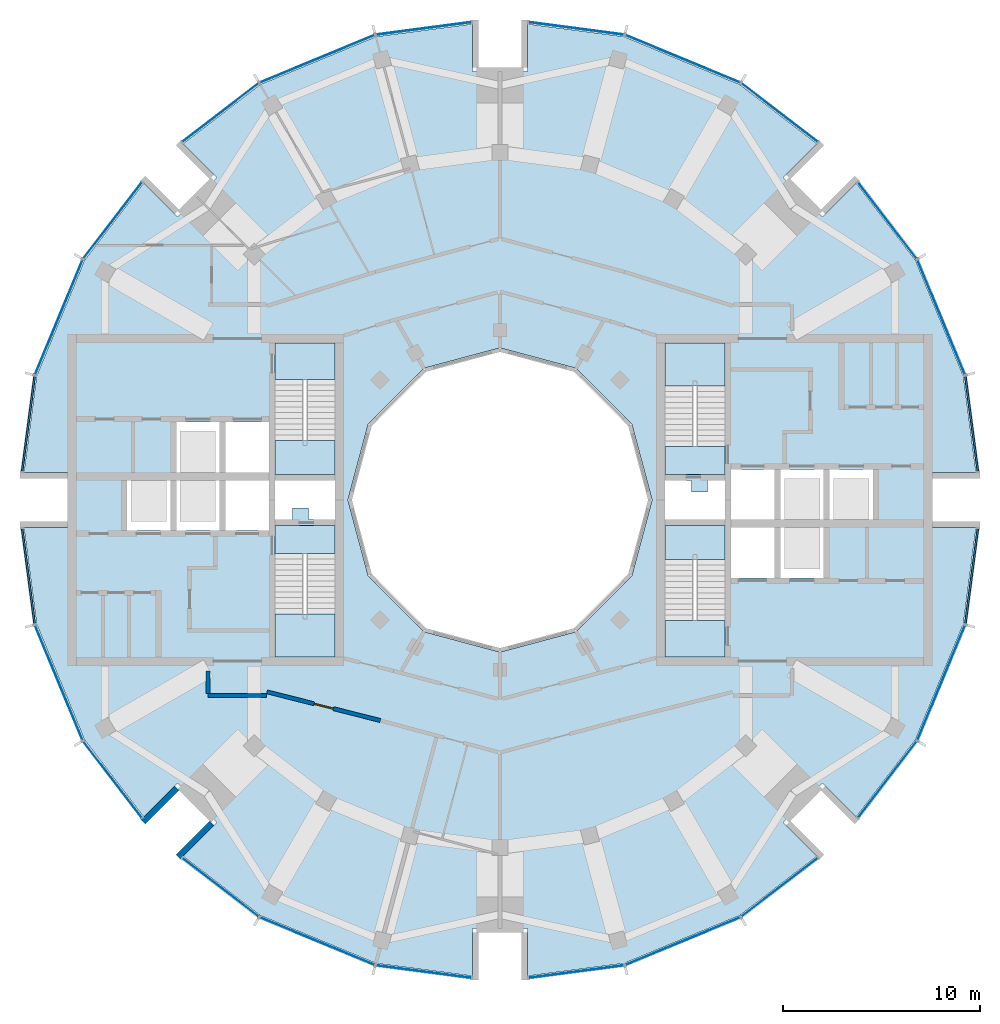
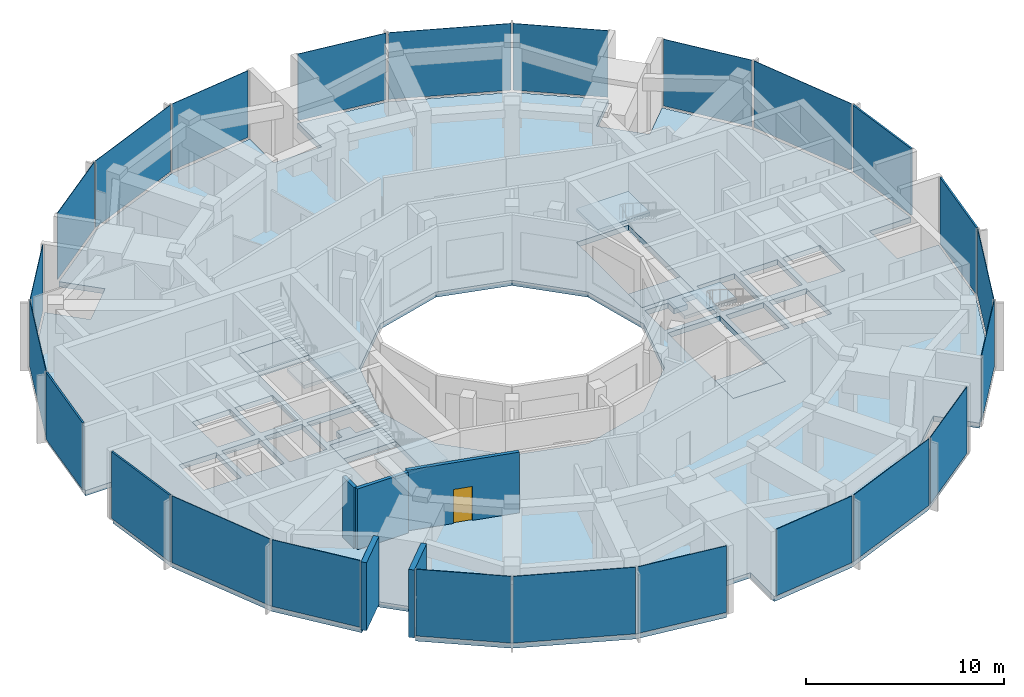
# One storey, part 7 of 14: 24 plates, 9 slabs, 5 walls, 1 door, 1 opening, 28 elements without a shape of their own.
"""IFC4 building model written with IfcOpenShell, lengths in metres."""

from ifc_helpers import new_model, si_unit, direction, frame, frame_2d, origin, origin_2d, place, context, subcontext, project, spatial, polyline, rectangle, outline, extrude, material, layer, layer_set, type_object, element, fill, aggregate, save


model = new_model("IFC4")

# Units and contexts
model_context = context("Model", 3, precision=1e-05, world=origin(), true_north=direction((0.0, 1.0)))
body_context = subcontext(model_context, "Body", "Model", "MODEL_VIEW")
ifc_project = project(units=[si_unit("LENGTHUNIT", "METRE"), si_unit("AREAUNIT", "SQUARE_METRE"), si_unit("VOLUMEUNIT", "CUBIC_METRE"), si_unit("PLANEANGLEUNIT", "RADIAN"), si_unit("MASSUNIT", "GRAM", prefix="KILO")], contexts=[model_context])

# Site, building, storey
site_placement = place(None, origin())
site = spatial("IfcSite", under=ifc_project, at=site_placement, CompositionType="ELEMENT")
building_placement = place(site_placement, origin())
building = spatial("IfcBuilding", under=site, at=building_placement, Name="Torre Brocal", CompositionType="ELEMENT")
storey_placement = place(building_placement, frame((0.0, 0.0, 288.300048828125)))
storey = spatial("IfcBuildingStorey", under=building, at=storey_placement, Name="L66", CompositionType="ELEMENT", Elevation=288.300048828125)

# Curtain wall, plate
ifc_material_1 = material(Name="Aluminium and glass", Category="aluminium")
ifc_layer_1 = layer(ifc_material_1, 0.199951171875)
ifc_layer_set_1 = layer_set([ifc_layer_1], Name="Aluminium and glass")
curtain_wall_type_1 = type_object("IfcCurtainWallType", Name="CW-1 CURTAIN WALL 4200 HIGH", PredefinedType="NOTDEFINED", material=ifc_layer_set_1)
curtain_wall_1_placement = place(storey_placement, origin())
curtain_wall_1 = element("IfcCurtainWall", 1, at=curtain_wall_1_placement, inside=storey, type_object=curtain_wall_type_1, Name="CW-1 RUN 2", PredefinedType="NOTDEFINED")
ifc_material_2 = material(Name="Glass, dark tinted laminated", Category="glass")
ifc_layer_2 = layer(ifc_material_2, 0.031982421875)
ifc_layer_set_2 = layer_set([ifc_layer_2], Name="Glass, dark tinted laminated")
plate_type_1 = type_object("IfcPlateType", Name="CW-1 GLASS PANEL 32", PredefinedType="CURTAIN_PANEL", material=ifc_layer_set_2)
plate_1_placement = place(storey_placement, frame((102.34912109375, 84.25732421875, 0.079833984375), z_axis=(0.0, 0.0, 1.0), x_axis=(-0.382683432462, 0.923879532471, 0.0)))
plate_1 = element("IfcPlate", 2, at=plate_1_placement, type_object=plate_type_1, Name="CW1-5 panel 1.1", PredefinedType="CURTAIN_PANEL", context=body_context, shape_type="SweptSolid", body=[
    extrude(rectangle(XDim=6.24951171875, YDim=0.031982421875, at=origin_2d()), origin(), (0.0, 0.0, 1.0), 4.1201171875),
])
aggregate(curtain_wall_1, [plate_1])

curtain_wall_2_placement = place(storey_placement, origin())
curtain_wall_2 = element("IfcCurtainWall", 3, at=curtain_wall_2_placement, inside=storey, type_object=curtain_wall_type_1, Name="CW-1 RUN 3", PredefinedType="NOTDEFINED")
plate_2_placement = place(storey_placement, frame((99.621337890625, 89.166015625, 0.079833984375), z_axis=(0.0, 0.0, 1.0), x_axis=(-0.608761428939, 0.793353340344, 0.0)))
plate_2 = element("IfcPlate", 4, at=plate_2_placement, type_object=plate_type_1, Name="CW1-5 panel 1.1", PredefinedType="CURTAIN_PANEL", context=body_context, shape_type="SweptSolid", body=[
    extrude(rectangle(XDim=4.83740234375, YDim=0.031982421875, at=origin_2d()), origin(), (0.0, 0.0, 1.0), 4.1201171875),
])
aggregate(curtain_wall_2, [plate_2])

curtain_wall_3_placement = place(storey_placement, origin())
curtain_wall_3 = element("IfcCurtainWall", 5, at=curtain_wall_3_placement, inside=storey, type_object=curtain_wall_type_1, Name="CW-1 RUN 4", PredefinedType="NOTDEFINED")
plate_3_placement = place(storey_placement, frame((94.166015625, 94.621337890625, 0.079833984375), z_axis=(0.0, 0.0, 1.0), x_axis=(-0.793353340344, 0.608761428939, 0.0)))
plate_3 = element("IfcPlate", 6, at=plate_3_placement, type_object=plate_type_1, Name="CW1-5 panel 1.1", PredefinedType="CURTAIN_PANEL", context=body_context, shape_type="SweptSolid", body=[
    extrude(rectangle(XDim=4.83740234375, YDim=0.031982421875, at=origin_2d()), origin(), (0.0, 0.0, 1.0), 4.1201171875),
])
aggregate(curtain_wall_3, [plate_3])

curtain_wall_4_placement = place(storey_placement, origin())
curtain_wall_4 = element("IfcCurtainWall", 7, at=curtain_wall_4_placement, inside=storey, type_object=curtain_wall_type_1, Name="CW-1 RUN 5", PredefinedType="NOTDEFINED")
plate_4_placement = place(storey_placement, frame((89.25732421875, 97.34912109375, 0.079833984375), z_axis=(0.0, 0.0, 1.0), x_axis=(-0.923879532471, 0.382683432462, 0.0)))
plate_4 = element("IfcPlate", 8, at=plate_4_placement, type_object=plate_type_1, Name="CW1-5 panel 1.1", PredefinedType="CURTAIN_PANEL", context=body_context, shape_type="SweptSolid", body=[
    extrude(rectangle(XDim=6.24951171875, YDim=0.031982421875, at=origin_2d()), origin(), (0.0, 0.0, 1.0), 4.1201171875),
])
aggregate(curtain_wall_4, [plate_4])

curtain_wall_5_placement = place(storey_placement, origin())
curtain_wall_5 = element("IfcCurtainWall", 9, at=curtain_wall_5_placement, inside=storey, type_object=curtain_wall_type_1, Name="CW-1 RUN 6", PredefinedType="NOTDEFINED")
plate_5_placement = place(storey_placement, frame((83.857421875, 98.891357421875, 0.079833984375), z_axis=(0.0, 0.0, 1.0), x_axis=(-0.991444861387, 0.130526192116, 0.0)))
plate_5 = element("IfcPlate", 10, at=plate_5_placement, type_object=plate_type_1, Name="CW1-5 panel 1.1", PredefinedType="CURTAIN_PANEL", context=body_context, shape_type="SweptSolid", body=[
    extrude(rectangle(XDim=4.83740234375, YDim=0.031982421875, at=origin_2d()), origin(), (0.0, 0.0, 1.0), 4.1201171875),
])
aggregate(curtain_wall_5, [plate_5])

curtain_wall_6_placement = place(storey_placement, origin())
curtain_wall_6 = element("IfcCurtainWall", 11, at=curtain_wall_6_placement, inside=storey, type_object=curtain_wall_type_1, Name="CW-1 RUN 7", PredefinedType="NOTDEFINED")
plate_6_placement = place(storey_placement, frame((76.142578125, 98.891357421875, 0.079833984375), z_axis=(0.0, 0.0, 1.0), x_axis=(-0.991444861387, -0.130526192116, 0.0)))
plate_6 = element("IfcPlate", 12, at=plate_6_placement, type_object=plate_type_1, Name="CW1-5 panel 1.1", PredefinedType="CURTAIN_PANEL", context=body_context, shape_type="SweptSolid", body=[
    extrude(rectangle(XDim=4.83740234375, YDim=0.031982421875, at=origin_2d()), origin(), (0.0, 0.0, 1.0), 4.1201171875),
])
aggregate(curtain_wall_6, [plate_6])

curtain_wall_7_placement = place(storey_placement, origin())
curtain_wall_7 = element("IfcCurtainWall", 13, at=curtain_wall_7_placement, inside=storey, type_object=curtain_wall_type_1, Name="CW-1 RUN 8", PredefinedType="NOTDEFINED")
plate_7_placement = place(storey_placement, frame((70.74267578125, 97.34912109375, 0.079833984375), z_axis=(0.0, 0.0, 1.0), x_axis=(-0.923879532471, -0.382683432462, 0.0)))
plate_7 = element("IfcPlate", 14, at=plate_7_placement, type_object=plate_type_1, Name="CW1-5 panel 1.1", PredefinedType="CURTAIN_PANEL", context=body_context, shape_type="SweptSolid", body=[
    extrude(rectangle(XDim=6.24951171875, YDim=0.031982421875, at=origin_2d()), origin(), (0.0, 0.0, 1.0), 4.1201171875),
])
aggregate(curtain_wall_7, [plate_7])

curtain_wall_8_placement = place(storey_placement, origin())
curtain_wall_8 = element("IfcCurtainWall", 15, at=curtain_wall_8_placement, inside=storey, type_object=curtain_wall_type_1, Name="CW-1 RUN 9", PredefinedType="NOTDEFINED")
plate_8_placement = place(storey_placement, frame((65.833984375, 94.621337890625, 0.079833984375), z_axis=(0.0, 0.0, 1.0), x_axis=(-0.793353340344, -0.608761428939, 0.0)))
plate_8 = element("IfcPlate", 16, at=plate_8_placement, type_object=plate_type_1, Name="CW1-5 panel 1.1", PredefinedType="CURTAIN_PANEL", context=body_context, shape_type="SweptSolid", body=[
    extrude(rectangle(XDim=4.83740234375, YDim=0.031982421875, at=origin_2d()), origin(), (0.0, 0.0, 1.0), 4.1201171875),
])
aggregate(curtain_wall_8, [plate_8])

curtain_wall_9_placement = place(storey_placement, origin())
curtain_wall_9 = element("IfcCurtainWall", 17, at=curtain_wall_9_placement, inside=storey, type_object=curtain_wall_type_1, Name="CW-1 RUN 10", PredefinedType="NOTDEFINED")
plate_9_placement = place(storey_placement, frame((60.378662109375, 89.166015625, 0.079833984375), z_axis=(0.0, 0.0, 1.0), x_axis=(-0.608761428939, -0.793353340344, 0.0)))
plate_9 = element("IfcPlate", 18, at=plate_9_placement, type_object=plate_type_1, Name="CW1-5 panel 1.1", PredefinedType="CURTAIN_PANEL", context=body_context, shape_type="SweptSolid", body=[
    extrude(rectangle(XDim=4.83740234375, YDim=0.031982421875, at=origin_2d()), origin(), (0.0, 0.0, 1.0), 4.1201171875),
])
aggregate(curtain_wall_9, [plate_9])

curtain_wall_10_placement = place(storey_placement, origin())
curtain_wall_10 = element("IfcCurtainWall", 19, at=curtain_wall_10_placement, inside=storey, type_object=curtain_wall_type_1, Name="CW-1 RUN 11", PredefinedType="NOTDEFINED")
plate_10_placement = place(storey_placement, frame((57.65087890625, 84.25732421875, 0.079833984375), z_axis=(0.0, 0.0, 1.0), x_axis=(-0.382683432462, -0.923879532471, 0.0)))
plate_10 = element("IfcPlate", 20, at=plate_10_placement, type_object=plate_type_1, Name="CW1-5 panel 1.1", PredefinedType="CURTAIN_PANEL", context=body_context, shape_type="SweptSolid", body=[
    extrude(rectangle(XDim=6.24951171875, YDim=0.031982421875, at=origin_2d()), origin(), (0.0, 0.0, 1.0), 4.1201171875),
])
aggregate(curtain_wall_10, [plate_10])

curtain_wall_11_placement = place(storey_placement, origin())
curtain_wall_11 = element("IfcCurtainWall", 21, at=curtain_wall_11_placement, inside=storey, type_object=curtain_wall_type_1, Name="CW-1 RUN 14", PredefinedType="NOTDEFINED")
plate_11_placement = place(storey_placement, frame((57.65087890625, 65.74267578125, 0.079833984375), z_axis=(0.0, 0.0, 1.0), x_axis=(0.382683432462, -0.923879532471, 0.0)))
plate_11 = element("IfcPlate", 22, at=plate_11_placement, type_object=plate_type_1, Name="CW1-5 panel 1.1", PredefinedType="CURTAIN_PANEL", context=body_context, shape_type="SweptSolid", body=[
    extrude(rectangle(XDim=6.24951171875, YDim=0.031982421875, at=origin_2d()), origin(), (0.0, 0.0, 1.0), 4.1201171875),
])
aggregate(curtain_wall_11, [plate_11])

curtain_wall_12_placement = place(storey_placement, origin())
curtain_wall_12 = element("IfcCurtainWall", 23, at=curtain_wall_12_placement, inside=storey, type_object=curtain_wall_type_1, Name="CW-1 RUN 15", PredefinedType="NOTDEFINED")
plate_12_placement = place(storey_placement, frame((60.378662109375, 60.833984375, 0.079833984375), z_axis=(0.0, 0.0, 1.0), x_axis=(0.608761428939, -0.793353340344, 0.0)))
plate_12 = element("IfcPlate", 24, at=plate_12_placement, type_object=plate_type_1, Name="CW1-5 panel 1.1", PredefinedType="CURTAIN_PANEL", context=body_context, shape_type="SweptSolid", body=[
    extrude(rectangle(XDim=4.83740234375, YDim=0.031982421875, at=origin_2d()), origin(), (0.0, 0.0, 1.0), 4.1201171875),
])
aggregate(curtain_wall_12, [plate_12])

curtain_wall_13_placement = place(storey_placement, origin())
curtain_wall_13 = element("IfcCurtainWall", 25, at=curtain_wall_13_placement, inside=storey, type_object=curtain_wall_type_1, Name="CW-1 RUN 16", PredefinedType="NOTDEFINED")
plate_13_placement = place(storey_placement, frame((65.833984375, 55.378662109375, 0.079833984375), z_axis=(0.0, 0.0, 1.0), x_axis=(0.793353340344, -0.608761428939, 0.0)))
plate_13 = element("IfcPlate", 26, at=plate_13_placement, type_object=plate_type_1, Name="CW1-5 panel 1.1", PredefinedType="CURTAIN_PANEL", context=body_context, shape_type="SweptSolid", body=[
    extrude(rectangle(XDim=4.83740234375, YDim=0.031982421875, at=origin_2d()), origin(), (0.0, 0.0, 1.0), 4.1201171875),
])
aggregate(curtain_wall_13, [plate_13])

curtain_wall_14_placement = place(storey_placement, origin())
curtain_wall_14 = element("IfcCurtainWall", 27, at=curtain_wall_14_placement, inside=storey, type_object=curtain_wall_type_1, Name="CW-1 RUN 17", PredefinedType="NOTDEFINED")
plate_14_placement = place(storey_placement, frame((70.74267578125, 52.65087890625, 0.079833984375), z_axis=(0.0, 0.0, 1.0), x_axis=(0.923879532471, -0.382683432462, 0.0)))
plate_14 = element("IfcPlate", 28, at=plate_14_placement, type_object=plate_type_1, Name="CW1-5 panel 1.1", PredefinedType="CURTAIN_PANEL", context=body_context, shape_type="SweptSolid", body=[
    extrude(rectangle(XDim=6.24951171875, YDim=0.031982421875, at=origin_2d()), origin(), (0.0, 0.0, 1.0), 4.1201171875),
])
aggregate(curtain_wall_14, [plate_14])

curtain_wall_15_placement = place(storey_placement, origin())
curtain_wall_15 = element("IfcCurtainWall", 29, at=curtain_wall_15_placement, inside=storey, type_object=curtain_wall_type_1, Name="CW-1 RUN 18", PredefinedType="NOTDEFINED")
plate_15_placement = place(storey_placement, frame((76.142578125, 51.108642578125, 0.079833984375), z_axis=(0.0, 0.0, 1.0), x_axis=(0.991444861387, -0.130526192116, 0.0)))
plate_15 = element("IfcPlate", 30, at=plate_15_placement, type_object=plate_type_1, Name="CW1-5 panel 1.1", PredefinedType="CURTAIN_PANEL", context=body_context, shape_type="SweptSolid", body=[
    extrude(rectangle(XDim=4.83740234375, YDim=0.031982421875, at=origin_2d()), origin(), (0.0, 0.0, 1.0), 4.1201171875),
])
aggregate(curtain_wall_15, [plate_15])

curtain_wall_16_placement = place(storey_placement, origin())
curtain_wall_16 = element("IfcCurtainWall", 31, at=curtain_wall_16_placement, inside=storey, type_object=curtain_wall_type_1, Name="CW-1 RUN 19", PredefinedType="NOTDEFINED")
plate_16_placement = place(storey_placement, frame((83.857421875, 51.108642578125, 0.079833984375), z_axis=(0.0, 0.0, 1.0), x_axis=(0.991444861387, 0.130526192116, 0.0)))
plate_16 = element("IfcPlate", 32, at=plate_16_placement, type_object=plate_type_1, Name="CW1-5 panel 1.1", PredefinedType="CURTAIN_PANEL", context=body_context, shape_type="SweptSolid", body=[
    extrude(rectangle(XDim=4.83740234375, YDim=0.031982421875, at=origin_2d()), origin(), (0.0, 0.0, 1.0), 4.1201171875),
])
aggregate(curtain_wall_16, [plate_16])

curtain_wall_17_placement = place(storey_placement, origin())
curtain_wall_17 = element("IfcCurtainWall", 33, at=curtain_wall_17_placement, inside=storey, type_object=curtain_wall_type_1, Name="CW-1 RUN 20", PredefinedType="NOTDEFINED")
plate_17_placement = place(storey_placement, frame((89.25732421875, 52.65087890625, 0.079833984375), z_axis=(0.0, 0.0, 1.0), x_axis=(0.923879532471, 0.382683432462, 0.0)))
plate_17 = element("IfcPlate", 34, at=plate_17_placement, type_object=plate_type_1, Name="CW1-5 panel 1.1", PredefinedType="CURTAIN_PANEL", context=body_context, shape_type="SweptSolid", body=[
    extrude(rectangle(XDim=6.24951171875, YDim=0.031982421875, at=origin_2d()), origin(), (0.0, 0.0, 1.0), 4.1201171875),
])
aggregate(curtain_wall_17, [plate_17])

curtain_wall_18_placement = place(storey_placement, origin())
curtain_wall_18 = element("IfcCurtainWall", 35, at=curtain_wall_18_placement, inside=storey, type_object=curtain_wall_type_1, Name="CW-1 RUN 21", PredefinedType="NOTDEFINED")
plate_18_placement = place(storey_placement, frame((94.166015625, 55.378662109375, 0.079833984375), z_axis=(0.0, 0.0, 1.0), x_axis=(0.793353340344, 0.608761428939, 0.0)))
plate_18 = element("IfcPlate", 36, at=plate_18_placement, type_object=plate_type_1, Name="CW1-5 panel 1.1", PredefinedType="CURTAIN_PANEL", context=body_context, shape_type="SweptSolid", body=[
    extrude(rectangle(XDim=4.83740234375, YDim=0.031982421875, at=origin_2d()), origin(), (0.0, 0.0, 1.0), 4.1201171875),
])
aggregate(curtain_wall_18, [plate_18])

curtain_wall_19_placement = place(storey_placement, origin())
curtain_wall_19 = element("IfcCurtainWall", 37, at=curtain_wall_19_placement, inside=storey, type_object=curtain_wall_type_1, Name="CW-1 RUN 22", PredefinedType="NOTDEFINED")
plate_19_placement = place(storey_placement, frame((99.621337890625, 60.833984375, 0.079833984375), z_axis=(0.0, 0.0, 1.0), x_axis=(0.608761428939, 0.793353340344, 0.0)))
plate_19 = element("IfcPlate", 38, at=plate_19_placement, type_object=plate_type_1, Name="CW1-5 panel 1.1", PredefinedType="CURTAIN_PANEL", context=body_context, shape_type="SweptSolid", body=[
    extrude(rectangle(XDim=4.83740234375, YDim=0.031982421875, at=origin_2d()), origin(), (0.0, 0.0, 1.0), 4.1201171875),
])
aggregate(curtain_wall_19, [plate_19])

curtain_wall_20_placement = place(storey_placement, origin())
curtain_wall_20 = element("IfcCurtainWall", 39, at=curtain_wall_20_placement, inside=storey, type_object=curtain_wall_type_1, Name="CW-1 RUN 23", PredefinedType="NOTDEFINED")
plate_20_placement = place(storey_placement, frame((102.34912109375, 65.74267578125, 0.079833984375), z_axis=(0.0, 0.0, 1.0), x_axis=(0.382683432462, 0.923879532471, 0.0)))
plate_20 = element("IfcPlate", 40, at=plate_20_placement, type_object=plate_type_1, Name="CW1-5 panel 1.1", PredefinedType="CURTAIN_PANEL", context=body_context, shape_type="SweptSolid", body=[
    extrude(rectangle(XDim=6.24951171875, YDim=0.031982421875, at=origin_2d()), origin(), (0.0, 0.0, 1.0), 4.1201171875),
])
aggregate(curtain_wall_20, [plate_20])

ifc_material_3 = material(Name="Aluminium and glass", Category="aluminium")
ifc_layer_3 = layer(ifc_material_3, 0.199951171875)
ifc_layer_set_3 = layer_set([ifc_layer_3], Name="Aluminium and glass")
curtain_wall_type_2 = type_object("IfcCurtainWallType", Name="CW-1B CURTAIN WALL 4200 HIGH", PredefinedType="NOTDEFINED", material=ifc_layer_set_3)
curtain_wall_21_placement = place(storey_placement, origin())
curtain_wall_21 = element("IfcCurtainWall", 41, at=curtain_wall_21_placement, inside=storey, type_object=curtain_wall_type_2, Name="CW-1B RUN 1", PredefinedType="NOTDEFINED")
ifc_material_4 = material(Name="Aluminium composite panel", Category="aluminium")
ifc_layer_4 = layer(ifc_material_4, 0.10009765625)
ifc_layer_set_4 = layer_set([ifc_layer_4], Name="Aluminium composite panel")
plate_type_2 = type_object("IfcPlateType", Name="CW-1B OPAQUE PANEL 100", PredefinedType="CURTAIN_PANEL", material=ifc_layer_set_4)
plate_21_placement = place(storey_placement, frame((103.891357421875, 78.857421875, 0.079833984375), z_axis=(0.0, 0.0, 1.0), x_axis=(-0.130526192116, 0.991444861387, 0.0)))
plate_21 = element("IfcPlate", 42, at=plate_21_placement, type_object=plate_type_2, Name="CW1B-5 panel 1.1", PredefinedType="CURTAIN_PANEL", context=body_context, shape_type="SweptSolid", body=[
    extrude(rectangle(XDim=4.83740234375, YDim=0.10009765625, at=origin_2d()), origin(), (0.0, 0.0, 1.0), 4.1201171875),
])
aggregate(curtain_wall_21, [plate_21])

curtain_wall_22_placement = place(storey_placement, origin())
curtain_wall_22 = element("IfcCurtainWall", 43, at=curtain_wall_22_placement, inside=storey, type_object=curtain_wall_type_2, Name="CW-1B RUN 12", PredefinedType="NOTDEFINED")
plate_22_placement = place(storey_placement, frame((56.108642578125, 78.857421875, 0.079833984375), z_axis=(0.0, 0.0, 1.0), x_axis=(-0.130526192116, -0.991444861387, 0.0)))
plate_22 = element("IfcPlate", 44, at=plate_22_placement, type_object=plate_type_2, Name="CW1B-5 panel 1.1", PredefinedType="CURTAIN_PANEL", context=body_context, shape_type="SweptSolid", body=[
    extrude(rectangle(XDim=4.83740234375, YDim=0.10009765625, at=origin_2d()), origin(), (0.0, 0.0, 1.0), 4.1201171875),
])
aggregate(curtain_wall_22, [plate_22])

curtain_wall_23_placement = place(storey_placement, origin())
curtain_wall_23 = element("IfcCurtainWall", 45, at=curtain_wall_23_placement, inside=storey, type_object=curtain_wall_type_2, Name="CW-1B RUN 13", PredefinedType="NOTDEFINED")
plate_23_placement = place(storey_placement, frame((56.108642578125, 71.142578125, 0.079833984375), z_axis=(0.0, 0.0, 1.0), x_axis=(0.130526192116, -0.991444861387, 0.0)))
plate_23 = element("IfcPlate", 46, at=plate_23_placement, type_object=plate_type_2, Name="CW1B-5 panel 1.1", PredefinedType="CURTAIN_PANEL", context=body_context, shape_type="SweptSolid", body=[
    extrude(rectangle(XDim=4.83740234375, YDim=0.10009765625, at=origin_2d()), origin(), (0.0, 0.0, 1.0), 4.1201171875),
])
aggregate(curtain_wall_23, [plate_23])

curtain_wall_24_placement = place(storey_placement, origin())
curtain_wall_24 = element("IfcCurtainWall", 47, at=curtain_wall_24_placement, inside=storey, type_object=curtain_wall_type_2, Name="CW-1B RUN 24", PredefinedType="NOTDEFINED")
plate_24_placement = place(storey_placement, frame((103.891357421875, 71.142578125, 0.079833984375), z_axis=(0.0, 0.0, 1.0), x_axis=(0.130526192116, 0.991444861387, 0.0)))
plate_24 = element("IfcPlate", 48, at=plate_24_placement, type_object=plate_type_2, Name="CW1B-5 panel 1.1", PredefinedType="CURTAIN_PANEL", context=body_context, shape_type="SweptSolid", body=[
    extrude(rectangle(XDim=4.83740234375, YDim=0.10009765625, at=origin_2d()), origin(), (0.0, 0.0, 1.0), 4.1201171875),
])
aggregate(curtain_wall_24, [plate_24])

# Stair, slab
ifc_material_5 = material(Name="Concrete C50", Category="concrete")
stair_type = type_object("IfcStairType", Name="EXIT STAIR", PredefinedType="HALF_TURN_STAIR", material=ifc_material_5)
stair_1_placement = place(storey_placement, origin())
stair_1 = element("IfcStair", 49, at=stair_1_placement, inside=storey, type_object=stair_type, Name="EXIT STAIR ST1", PredefinedType="HALF_TURN_STAIR")
ifc_material_6 = material(Name="Concrete C50", Category="concrete")
ifc_layer_5 = layer(ifc_material_6, 0.320068359375)
ifc_layer_set_5 = layer_set([ifc_layer_5], Name="Concrete C50")
slab_type_1 = type_object("IfcSlabType", Name="FLOOR LANDING 320", PredefinedType="LANDING", material=ifc_layer_set_5)
slab_1_placement = place(storey_placement, frame((0.0, 0.0, -0.320068359375)))
slab_1 = element("IfcSlab", 50, at=slab_1_placement, type_object=slab_type_1, Name="ST1 landing 1", PredefinedType="LANDING", context=body_context, shape_type="SweptSolid", body=[
    extrude(outline(polyline([(88.35009765625, 76.300048828125), (91.39990234375, 76.300048828125), (91.39990234375, 77.699951171875), (88.35009765625, 77.699951171875), (88.35009765625, 76.300048828125)])), origin(), (0.0, 0.0, 1.0), 0.320068359375),
])

stair_2_placement = place(storey_placement, origin())
stair_2 = element("IfcStair", 51, at=stair_2_placement, inside=storey, type_object=stair_type, Name="EXIT STAIR ST2", PredefinedType="HALF_TURN_STAIR")
slab_2_placement = place(storey_placement, frame((0.0, 0.0, -0.320068359375)))
slab_2 = element("IfcSlab", 52, at=slab_2_placement, type_object=slab_type_1, Name="ST2 landing 1", PredefinedType="LANDING", context=body_context, shape_type="SweptSolid", body=[
    extrude(outline(polyline([(88.35009765625, 67.050048828125), (91.39990234375, 67.050048828125), (91.39990234375, 68.89990234375), (88.35009765625, 68.89990234375), (88.35009765625, 67.050048828125)])), origin(), (0.0, 0.0, 1.0), 0.320068359375),
])

stair_3_placement = place(storey_placement, origin())
stair_3 = element("IfcStair", 53, at=stair_3_placement, inside=storey, type_object=stair_type, Name="EXIT STAIR ST3", PredefinedType="HALF_TURN_STAIR")
slab_3_placement = place(storey_placement, frame((0.0, 0.0, -0.320068359375)))
slab_3 = element("IfcSlab", 54, at=slab_3_placement, type_object=slab_type_1, Name="ST3 landing 1", PredefinedType="LANDING", context=body_context, shape_type="SweptSolid", body=[
    extrude(outline(polyline([(71.64990234375, 73.699951171875), (68.60009765625, 73.699951171875), (68.60009765625, 72.300048828125), (71.64990234375, 72.300048828125), (71.64990234375, 73.699951171875)])), origin(), (0.0, 0.0, 1.0), 0.320068359375),
])

stair_4_placement = place(storey_placement, origin())
stair_4 = element("IfcStair", 55, at=stair_4_placement, inside=storey, type_object=stair_type, Name="EXIT STAIR ST4", PredefinedType="HALF_TURN_STAIR")
slab_4_placement = place(storey_placement, frame((0.0, 0.0, -0.320068359375)))
slab_4 = element("IfcSlab", 56, at=slab_4_placement, type_object=slab_type_1, Name="ST4 landing 1", PredefinedType="LANDING", context=body_context, shape_type="SweptSolid", body=[
    extrude(outline(polyline([(71.64990234375, 82.949951171875), (68.60009765625, 82.949951171875), (68.60009765625, 81.10009765625), (71.64990234375, 81.10009765625), (71.64990234375, 82.949951171875)])), origin(), (0.0, 0.0, 1.0), 0.320068359375),
])

# Slab
ifc_material_7 = material(Name="Concrete C50", Category="concrete")
ifc_layer_6 = layer(ifc_material_7, 0.199951171875)
ifc_layer_set_6 = layer_set([ifc_layer_6], Name="Concrete C50")
slab_type_2 = type_object("IfcSlabType", Name="MID LANDING +2100", PredefinedType="LANDING", material=ifc_layer_set_6)
slab_5_placement = place(storey_placement, frame((0.0, 0.0, 1.89990234375)))
slab_5 = element("IfcSlab", 57, at=slab_5_placement, type_object=slab_type_2, Name="ST1 landing 2", PredefinedType="LANDING", context=body_context, shape_type="SweptSolid", body=[
    extrude(outline(polyline([(88.35009765625, 80.780029296875), (91.39990234375, 80.780029296875), (91.39990234375, 82.949951171875), (88.35009765625, 82.949951171875), (88.35009765625, 80.780029296875)])), origin(), (0.0, 0.0, 1.0), 0.199951171875),
])

aggregate(stair_1, [slab_1, slab_5])

slab_6_placement = place(storey_placement, frame((0.0, 0.0, 1.89990234375)))
slab_6 = element("IfcSlab", 58, at=slab_6_placement, type_object=slab_type_2, Name="ST2 landing 2", PredefinedType="LANDING", context=body_context, shape_type="SweptSolid", body=[
    extrude(outline(polyline([(88.35009765625, 71.97998046875), (91.39990234375, 71.97998046875), (91.39990234375, 73.699951171875), (88.35009765625, 73.699951171875), (88.35009765625, 71.97998046875)])), origin(), (0.0, 0.0, 1.0), 0.199951171875),
])

aggregate(stair_2, [slab_2, slab_6])

slab_7_placement = place(storey_placement, frame((0.0, 0.0, 1.89990234375)))
slab_7 = element("IfcSlab", 59, at=slab_7_placement, type_object=slab_type_2, Name="ST3 landing 2", PredefinedType="LANDING", context=body_context, shape_type="SweptSolid", body=[
    extrude(outline(polyline([(71.64990234375, 69.219970703125), (68.60009765625, 69.219970703125), (68.60009765625, 67.050048828125), (71.64990234375, 67.050048828125), (71.64990234375, 69.219970703125)])), origin(), (0.0, 0.0, 1.0), 0.199951171875),
])

aggregate(stair_3, [slab_3, slab_7])

slab_8_placement = place(storey_placement, frame((0.0, 0.0, 1.89990234375)))
slab_8 = element("IfcSlab", 60, at=slab_8_placement, type_object=slab_type_2, Name="ST4 landing 2", PredefinedType="LANDING", context=body_context, shape_type="SweptSolid", body=[
    extrude(outline(polyline([(71.64990234375, 78.02001953125), (68.60009765625, 78.02001953125), (68.60009765625, 76.300048828125), (71.64990234375, 76.300048828125), (71.64990234375, 78.02001953125)])), origin(), (0.0, 0.0, 1.0), 0.199951171875),
])

aggregate(stair_4, [slab_4, slab_8])

ifc_material_8 = material(Name="Concrete C45", Category="concrete")
ifc_layer_7 = layer(ifc_material_8, 0.320068359375)
ifc_layer_set_7 = layer_set([ifc_layer_7], Name="Concrete C45")
slab_type_3 = type_object("IfcSlabType", Name="PT FLOOR SLAB 320 C45", PredefinedType="FLOOR", material=ifc_layer_set_7)
slab_9_placement = place(storey_placement, frame((0.0, 0.0, -0.320068359375)))
element("IfcSlab", 61, at=slab_9_placement, inside=storey, type_object=slab_type_3, Name="Slab ST-05", PredefinedType="FLOOR", context=body_context, shape_type="SweptSolid", body=[
    extrude(outline(polyline([(101.699951171875, 76.39990234375), (101.699951171875, 73.60009765625), (104.114013671875, 73.60009765625), (103.47021484375, 68.711181640625), (101.04296875, 62.850830078125), (98.041015625, 58.938720703125), (96.334228515625, 60.645751953125), (94.354248046875, 58.665771484375), (96.061279296875, 56.958984375), (92.149169921875, 53.95703125), (86.288818359375, 51.52978515625), (81.39990234375, 50.885986328125), (81.39990234375, 53.300048828125), (78.60009765625, 53.300048828125), (78.60009765625, 50.885986328125), (73.711181640625, 51.52978515625), (67.850830078125, 53.95703125), (63.938720703125, 56.958984375), (65.645751953125, 58.665771484375), (63.665771484375, 60.645751953125), (61.958984375, 58.938720703125), (58.95703125, 62.850830078125), (56.52978515625, 68.711181640625), (55.885986328125, 73.60009765625), (58.300048828125, 73.60009765625), (58.300048828125, 76.39990234375), (55.885986328125, 76.39990234375), (56.52978515625, 81.288818359375), (58.95703125, 87.149169921875), (61.958984375, 91.061279296875), (63.665771484375, 89.354248046875), (65.645751953125, 91.334228515625), (63.938720703125, 93.041015625), (67.850830078125, 96.04296875), (73.711181640625, 98.47021484375), (78.60009765625, 99.114013671875), (78.60009765625, 96.699951171875), (81.39990234375, 96.699951171875), (81.39990234375, 99.114013671875), (86.288818359375, 98.47021484375), (92.149169921875, 96.04296875), (96.061279296875, 93.041015625), (94.354248046875, 91.334228515625), (96.334228515625, 89.354248046875), (98.041015625, 91.061279296875), (101.04296875, 87.149169921875), (103.47021484375, 81.288818359375), (104.114013671875, 76.39990234375), (101.699951171875, 76.39990234375)]), holes=[polyline([(98.89990234375, 76.550048828125), (96.699951171875, 76.550048828125), (96.699951171875, 74.0), (98.89990234375, 74.0), (98.89990234375, 76.550048828125)]), polyline([(96.39990234375, 76.550048828125), (94.199951171875, 76.550048828125), (94.199951171875, 74.0), (96.39990234375, 74.0), (96.39990234375, 76.550048828125)]), polyline([(96.39990234375, 73.60009765625), (94.199951171875, 73.60009765625), (94.199951171875, 71.050048828125), (96.39990234375, 71.050048828125), (96.39990234375, 73.60009765625)]), polyline([(93.89990234375, 76.550048828125), (91.699951171875, 76.550048828125), (91.699951171875, 74.0), (93.89990234375, 74.0), (93.89990234375, 76.550048828125)]), polyline([(93.89990234375, 73.60009765625), (91.699951171875, 73.60009765625), (91.699951171875, 71.050048828125), (93.89990234375, 71.050048828125), (93.89990234375, 73.60009765625)]), polyline([(89.699951171875, 76.0), (88.35009765625, 76.0), (88.35009765625, 74.0), (91.39990234375, 74.0), (91.39990234375, 76.0), (90.5, 76.0), (90.5, 75.39990234375), (89.699951171875, 75.39990234375), (89.699951171875, 76.0)]), polyline([(91.39990234375, 82.949951171875), (88.35009765625, 82.949951171875), (88.35009765625, 76.300048828125), (91.39990234375, 76.300048828125), (91.39990234375, 82.949951171875)]), polyline([(91.39990234375, 73.699951171875), (88.35009765625, 73.699951171875), (88.35009765625, 67.050048828125), (91.39990234375, 67.050048828125), (91.39990234375, 73.699951171875)]), polyline([(80.0, 82.70703125), (76.146484375, 81.674560546875), (73.325439453125, 78.853515625), (72.29296875, 75.0), (73.325439453125, 71.146484375), (76.146484375, 68.325439453125), (80.0, 67.29296875), (83.853515625, 68.325439453125), (86.674560546875, 71.146484375), (87.70703125, 75.0), (86.674560546875, 78.853515625), (83.853515625, 81.674560546875), (80.0, 82.70703125)]), polyline([(70.300048828125, 74.0), (71.64990234375, 74.0), (71.64990234375, 76.0), (68.60009765625, 76.0), (68.60009765625, 74.0), (69.5, 74.0), (69.5, 74.60009765625), (70.300048828125, 74.60009765625), (70.300048828125, 74.0)]), polyline([(68.60009765625, 76.300048828125), (71.64990234375, 76.300048828125), (71.64990234375, 82.949951171875), (68.60009765625, 82.949951171875), (68.60009765625, 76.300048828125)]), polyline([(68.60009765625, 67.050048828125), (71.64990234375, 67.050048828125), (71.64990234375, 73.699951171875), (68.60009765625, 73.699951171875), (68.60009765625, 67.050048828125)]), polyline([(66.10009765625, 76.39990234375), (68.300048828125, 76.39990234375), (68.300048828125, 78.949951171875), (66.10009765625, 78.949951171875), (66.10009765625, 76.39990234375)]), polyline([(66.10009765625, 73.449951171875), (68.300048828125, 73.449951171875), (68.300048828125, 76.0), (66.10009765625, 76.0), (66.10009765625, 73.449951171875)]), polyline([(63.60009765625, 76.39990234375), (65.800048828125, 76.39990234375), (65.800048828125, 78.949951171875), (63.60009765625, 78.949951171875), (63.60009765625, 76.39990234375)]), polyline([(63.60009765625, 73.449951171875), (65.800048828125, 73.449951171875), (65.800048828125, 76.0), (63.60009765625, 76.0), (63.60009765625, 73.449951171875)]), polyline([(61.10009765625, 73.449951171875), (63.300048828125, 73.449951171875), (63.300048828125, 76.0), (61.10009765625, 76.0), (61.10009765625, 73.449951171875)])]), origin(), (0.0, 0.0, 1.0), 0.320068359375),
])

# Walls
ifc_material_9 = material(Name="Concrete C50", Category="concrete")
ifc_layer_8 = layer(ifc_material_9, 0.300048828125)
ifc_layer_set_8 = layer_set([ifc_layer_8], Name="Concrete C50")
wall_type_1 = type_object("IfcWallType", Name="NOTCH RETURN WALL 300 C50", PredefinedType="NOTDEFINED", material=ifc_layer_set_8)
for number, where, z_axis, x_axis, name in (
    (62, (63.63037109375, 60.398193359375, 0.0), (0.0, 0.0, 1.0), (-0.707106781187, -0.707106781187, 0.0), "NOTCH RETURN WALL"),
    (63, (65.398193359375, 58.63037109375, 0.0), (0.0, 0.0, 1.0), (-0.707106781187, -0.707106781187, 0.0), "NOTCH RETURN WALL"),
):
    element("IfcWall", number, at=place(storey_placement, frame(where, z_axis=z_axis, x_axis=x_axis)), inside=storey, type_object=wall_type_1, Name=name, PredefinedType="NOTDEFINED", context=body_context, shape_type="SweptSolid", body=[
        extrude(rectangle(XDim=2.41552734375, YDim=0.300048828125, at=frame_2d((1.207763671875, 0.0))), origin(), (0.0, 0.0, 1.0), 4.199951171875),
    ])
ifc_material_10 = material(Name="Gypsum board", Category="Gypsum")
ifc_layer_9 = layer(ifc_material_10, 0.199951171875)
ifc_layer_set_9 = layer_set([ifc_layer_9], Name="Gypsum board")
wall_type_2 = type_object("IfcWallType", Name="PARTITION 200 EI60", PredefinedType="PARTITIONING", material=ifc_layer_set_9)
wall_1_placement = place(storey_placement, frame((65.199951171875, 65.199951171875, 0.0), z_axis=(0.0, 0.0, 1.0), x_axis=(0.0, 1.0, 0.0)))
element("IfcWall", 64, at=wall_1_placement, inside=storey, type_object=wall_type_2, Name="FLAT ENTRANCE WALL", PredefinedType="PARTITIONING", context=body_context, shape_type="SweptSolid", body=[
    extrude(rectangle(XDim=1.149169921875, YDim=0.199951171875, at=frame_2d((0.57470703125, 0.0))), origin(), (0.0, 0.0, 1.0), 3.75),
])
wall_2_placement = place(storey_placement, frame((65.199951171875, 65.10009765625, 0.0), z_axis=(0.0, 0.0, 1.0), x_axis=(1.0, 0.0, 0.0)))
element("IfcWall", 65, at=wall_2_placement, inside=storey, type_object=wall_type_2, Name="FLAT ENTRANCE WALL", PredefinedType="PARTITIONING", context=body_context, shape_type="SweptSolid", body=[
    extrude(rectangle(XDim=2.97998046875, YDim=0.199951171875, at=frame_2d((1.489990234375, 0.0))), origin(), (0.0, 0.0, 1.0), 3.75),
])

# Wall, opening, door
wall_3_placement = place(storey_placement, frame((68.200927734375, 65.280029296875, 0.0), z_axis=(0.0, 0.0, 1.0), x_axis=(0.969421088032, -0.245403247897, 0.0)))
wall_3 = element("IfcWall", 66, at=wall_3_placement, inside=storey, type_object=wall_type_2, Name="FLAT ENTRANCE WALL", PredefinedType="PARTITIONING", context=body_context, shape_type="SweptSolid", body=[
    extrude(rectangle(XDim=5.92724609375, YDim=0.199951171875, at=frame_2d((2.963623046875, 0.0))), origin(), (0.0, 0.0, 1.0), 3.75),
])
opening_placement = place(wall_3_placement, frame((2.463134765625, 0.0, 0.0)))
opening = element("IfcOpeningElement", 67, at=opening_placement, cuts=wall_3, Name="Opening N02-D18", PredefinedType="OPENING", context=body_context, shape_type="SweptSolid", body=[
    extrude(rectangle(XDim=1.0, YDim=2.10009765625, at=frame_2d((0.5, 1.050048828125))), frame((0.0, 0.10986328125, 0.0), z_axis=(0.0, -1.0, 0.0), x_axis=(1.0, 0.0, 0.0)), (0.0, 0.0, 1.0), 0.219970703125),
])
ifc_material_11 = material(Name="Timber", Category="wood")
door_type = type_object("IfcDoorType", Name="FLAT ENTRY DOOR FD30S 1000X2100", OperationType="SINGLE_SWING_RIGHT", PredefinedType="DOOR", material=ifc_material_11)
door_placement = place(opening_placement, frame((1.0, 0.0, 0.0), z_axis=(0.0, 0.0, 1.0), x_axis=(-1.0, 0.0, 0.0)))
door = element("IfcDoor", 68, at=door_placement, inside=storey, type_object=door_type, Name="N02-D18", OperationType="SINGLE_SWING_RIGHT", OverallHeight=2.10009765625, OverallWidth=1.0, PredefinedType="DOOR", context=body_context, shape_type="SweptSolid", body=[
    extrude(rectangle(XDim=1.0, YDim=2.10009765625, at=frame_2d((0.5, 1.050048828125))), frame((0.0, 0.02490234375, 0.0), z_axis=(0.0, -1.0, 0.0), x_axis=(1.0, 0.0, 0.0)), (0.0, 0.0, 1.0), 0.050048828125),
])
fill(opening, door)

save(model, "model.ifc")
